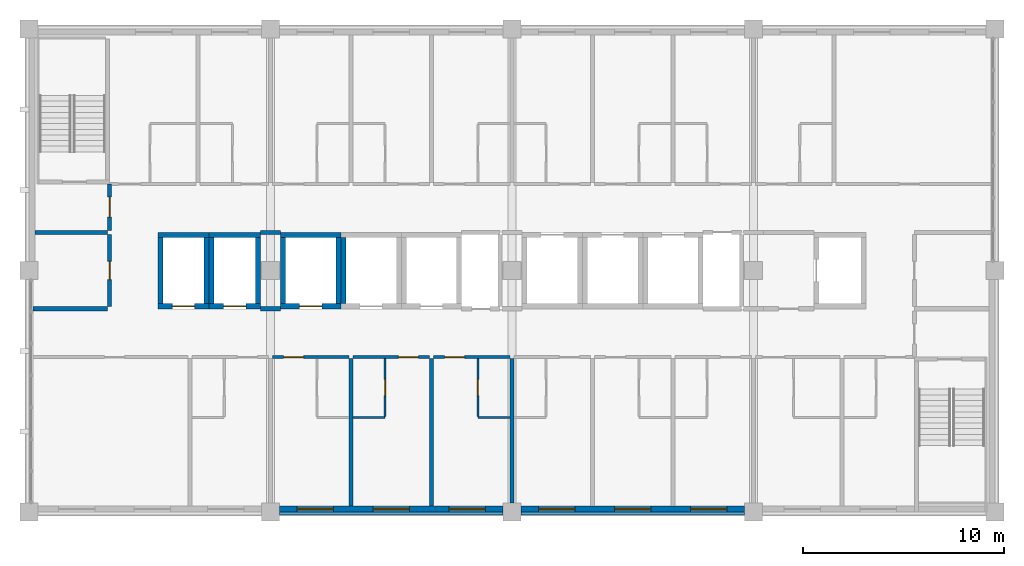
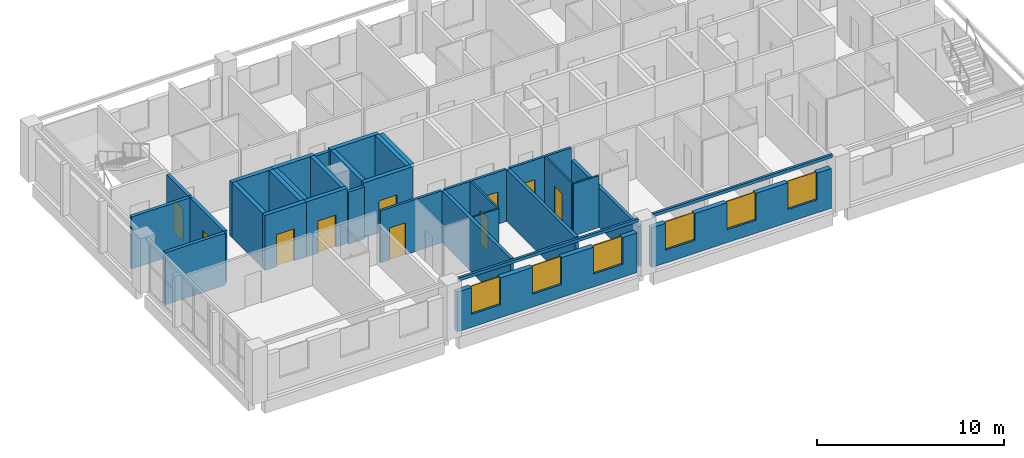
# One storey, part 6 of 11: 33 walls, 10 doors, 6 windows, 16 openings.
"""IFC4 building model written with IfcOpenShell, lengths in metres."""

from ifc_helpers import new_model, si_unit, direction, frame, frame_2d, origin, place, context, subcontext, project, spatial, rectangle, extrude, material, layer, layer_set, type_object, element, fill, save


model = new_model("IFC4")

# Units and contexts
model_context = context("Model", 3, precision=1e-05, world=origin(), true_north=direction((0.0, 1.0)))
body_context = subcontext(model_context, "Body", "Model", "MODEL_VIEW")
ifc_project = project(units=[si_unit("LENGTHUNIT", "METRE"), si_unit("AREAUNIT", "SQUARE_METRE"), si_unit("VOLUMEUNIT", "CUBIC_METRE"), si_unit("PLANEANGLEUNIT", "RADIAN"), si_unit("MASSUNIT", "GRAM", prefix="KILO")], contexts=[model_context])

# Site, building, storey
site_placement = place(None, origin())
site = spatial("IfcSite", under=ifc_project, at=site_placement, CompositionType="ELEMENT")
building_placement = place(site_placement, origin())
building = spatial("IfcBuilding", under=site, at=building_placement, Name="Lilac Gate Convention Centre", CompositionType="ELEMENT")
storey_placement = place(building_placement, frame((0.0, 0.0, 24.60009765625)))
storey = spatial("IfcBuildingStorey", under=building, at=storey_placement, Name="L05", CompositionType="ELEMENT", Elevation=24.60009765625)

# Wall, opening, door
ifc_material_1 = material(Name="Concrete C60", Category="concrete")
ifc_layer_1 = layer(ifc_material_1, 0.25)
ifc_layer_set_1 = layer_set([ifc_layer_1], Name="Concrete C60")
wall_type_1 = type_object("IfcWallType", Name="Core wall 250 C60", PredefinedType="SHEAR", material=ifc_layer_set_1)
wall_1_placement = place(storey_placement, frame((54.5, 232.22509765625, 0.0), z_axis=(0.0, 0.0, 1.0), x_axis=(1.0, 0.0, 0.0)))
wall_1 = element("IfcWall", 1, at=wall_1_placement, inside=storey, type_object=wall_type_1, Name="CRW3 core wall TC L05 1", PredefinedType="SHEAR", context=body_context, shape_type="SweptSolid", body=[
    extrude(rectangle(XDim=3.0, YDim=0.25, at=frame_2d((1.5, 0.0))), origin(), (0.0, 0.0, 1.0), 3.599853515625),
])
opening_1_placement = place(wall_1_placement, frame((0.949951171875, 0.0, 0.0)))
opening_1 = element("IfcOpeningElement", 2, at=opening_1_placement, cuts=wall_1, Name="Opening T04-046", PredefinedType="OPENING", context=body_context, shape_type="SweptSolid", body=[
    extrude(rectangle(XDim=1.10009765625, YDim=2.10009765625, at=frame_2d((0.550048828125, 1.050048828125))), frame((0.0, 0.135009765625, 0.0), z_axis=(0.0, -1.0, 0.0), x_axis=(1.0, 0.0, 0.0)), (0.0, 0.0, 1.0), 0.27001953125),
])
ifc_material_2 = material(Name="Stainless steel 304", Category="steel")
door_type_1 = type_object("IfcDoorType", Name="Lift landing door 1100", OperationType="SLIDING_TO_LEFT", PredefinedType="DOOR", material=ifc_material_2)
door_1_placement = place(opening_1_placement, origin())
door_1 = element("IfcDoor", 3, at=door_1_placement, inside=storey, type_object=door_type_1, Name="Lift landing door TP1 L05", OperationType="SLIDING_TO_LEFT", OverallHeight=2.10009765625, OverallWidth=1.10009765625, PredefinedType="DOOR", context=body_context, shape_type="SweptSolid", body=[
    extrude(rectangle(XDim=1.10009765625, YDim=2.10009765625, at=frame_2d((0.550048828125, 1.050048828125))), frame((0.0, 0.02490234375, 0.0), z_axis=(0.0, -1.0, 0.0), x_axis=(1.0, 0.0, 0.0)), (0.0, 0.0, 1.0), 0.050048828125),
])
fill(opening_1, door_1)

# Walls
wall_2_placement = place(storey_placement, frame((54.5, 235.77490234375, 0.0), z_axis=(0.0, 0.0, 1.0), x_axis=(1.0, 0.0, 0.0)))
element("IfcWall", 4, at=wall_2_placement, inside=storey, type_object=wall_type_1, Name="CRW3 core wall TC L05 2", PredefinedType="SHEAR", context=body_context, shape_type="SweptSolid", body=[
    extrude(rectangle(XDim=3.0, YDim=0.25, at=frame_2d((1.5, 0.0))), origin(), (0.0, 0.0, 1.0), 3.599853515625),
])
for number, where, z_axis, x_axis, name in (
    (5, (54.625, 232.35009765625, 0.0), (0.0, 0.0, 1.0), (0.0, 1.0, 0.0), "CRW3 core wall TC L05 3"),
    (6, (57.375, 232.35009765625, 0.0), (0.0, 0.0, 1.0), (0.0, 1.0, 0.0), "CRW3 core wall TC L05 4"),
    (7, (57.625, 232.35009765625, 0.0), (0.0, 0.0, 1.0), (0.0, 1.0, 0.0), "CRW3 core wall TC L05 7"),
):
    element("IfcWall", number, at=place(storey_placement, frame(where, z_axis=z_axis, x_axis=x_axis)), inside=storey, type_object=wall_type_1, Name=name, PredefinedType="SHEAR", context=body_context, shape_type="SweptSolid", body=[
        extrude(rectangle(XDim=3.2998046875, YDim=0.25, at=frame_2d((1.64990234375, 0.0))), origin(), (0.0, 0.0, 1.0), 3.599853515625),
    ])

# Wall, opening, door
wall_3_placement = place(storey_placement, frame((48.39990234375, 232.22509765625, 0.0), z_axis=(0.0, 0.0, 1.0), x_axis=(1.0, 0.0, 0.0)))
wall_3 = element("IfcWall", 8, at=wall_3_placement, inside=storey, type_object=wall_type_1, Name="CRW3 core wall TC L05 25", PredefinedType="SHEAR", context=body_context, shape_type="SweptSolid", body=[
    extrude(rectangle(XDim=2.550048828125, YDim=0.25, at=frame_2d((1.27490234375, 0.0))), origin(), (0.0, 0.0, 1.0), 3.599853515625),
])
opening_2_placement = place(wall_3_placement, frame((0.72509765625, 0.0, 0.0)))
opening_2 = element("IfcOpeningElement", 9, at=opening_2_placement, cuts=wall_3, Name="Opening T04-052", PredefinedType="OPENING", context=body_context, shape_type="SweptSolid", body=[
    extrude(rectangle(XDim=1.10009765625, YDim=2.10009765625, at=frame_2d((0.550048828125, 1.050048828125))), frame((0.0, 0.135009765625, 0.0), z_axis=(0.0, -1.0, 0.0), x_axis=(1.0, 0.0, 0.0)), (0.0, 0.0, 1.0), 0.27001953125),
])
door_2_placement = place(opening_2_placement, origin())
door_2 = element("IfcDoor", 10, at=door_2_placement, inside=storey, type_object=door_type_1, Name="Lift landing door TS1 L05", OperationType="SLIDING_TO_LEFT", OverallHeight=2.10009765625, OverallWidth=1.10009765625, PredefinedType="DOOR", context=body_context, shape_type="SweptSolid", body=[
    extrude(rectangle(XDim=1.10009765625, YDim=2.10009765625, at=frame_2d((0.550048828125, 1.050048828125))), frame((0.0, 0.02490234375, 0.0), z_axis=(0.0, -1.0, 0.0), x_axis=(1.0, 0.0, 0.0)), (0.0, 0.0, 1.0), 0.050048828125),
])
fill(opening_2, door_2)

# Walls
wall_4_placement = place(storey_placement, frame((48.39990234375, 235.77490234375, 0.0), z_axis=(0.0, 0.0, 1.0), x_axis=(1.0, 0.0, 0.0)))
element("IfcWall", 11, at=wall_4_placement, inside=storey, type_object=wall_type_1, Name="CRW3 core wall TC L05 26", PredefinedType="SHEAR", context=body_context, shape_type="SweptSolid", body=[
    extrude(rectangle(XDim=2.550048828125, YDim=0.25, at=frame_2d((1.27490234375, 0.0))), origin(), (0.0, 0.0, 1.0), 3.599853515625),
])
for number, where, z_axis, x_axis, name in (
    (12, (48.52490234375, 232.35009765625, 0.0), (0.0, 0.0, 1.0), (0.0, 1.0, 0.0), "CRW3 core wall TC L05 27"),
    (13, (50.824951171875, 232.35009765625, 0.0), (0.0, 0.0, 1.0), (0.0, 1.0, 0.0), "CRW3 core wall TC L05 28"),
):
    element("IfcWall", number, at=place(storey_placement, frame(where, z_axis=z_axis, x_axis=x_axis)), inside=storey, type_object=wall_type_1, Name=name, PredefinedType="SHEAR", context=body_context, shape_type="SweptSolid", body=[
        extrude(rectangle(XDim=3.2998046875, YDim=0.25, at=frame_2d((1.64990234375, 0.0))), origin(), (0.0, 0.0, 1.0), 3.599853515625),
    ])

# Wall, opening, door
wall_5_placement = place(storey_placement, frame((50.949951171875, 232.22509765625, 0.0), z_axis=(0.0, 0.0, 1.0), x_axis=(1.0, 0.0, 0.0)))
wall_5 = element("IfcWall", 14, at=wall_5_placement, inside=storey, type_object=wall_type_1, Name="CRW3 core wall TC L05 29", PredefinedType="SHEAR", context=body_context, shape_type="SweptSolid", body=[
    extrude(rectangle(XDim=2.550048828125, YDim=0.25, at=frame_2d((1.27490234375, 0.0))), origin(), (0.0, 0.0, 1.0), 3.599853515625),
])
opening_3_placement = place(wall_5_placement, frame((0.72509765625, 0.0, 0.0)))
opening_3 = element("IfcOpeningElement", 15, at=opening_3_placement, cuts=wall_5, Name="Opening T04-053", PredefinedType="OPENING", context=body_context, shape_type="SweptSolid", body=[
    extrude(rectangle(XDim=1.10009765625, YDim=2.10009765625, at=frame_2d((0.550048828125, 1.050048828125))), frame((0.0, 0.135009765625, 0.0), z_axis=(0.0, -1.0, 0.0), x_axis=(1.0, 0.0, 0.0)), (0.0, 0.0, 1.0), 0.27001953125),
])
door_3_placement = place(opening_3_placement, origin())
door_3 = element("IfcDoor", 16, at=door_3_placement, inside=storey, type_object=door_type_1, Name="Lift landing door TS2 L05", OperationType="SLIDING_TO_LEFT", OverallHeight=2.10009765625, OverallWidth=1.10009765625, PredefinedType="DOOR", context=body_context, shape_type="SweptSolid", body=[
    extrude(rectangle(XDim=1.10009765625, YDim=2.10009765625, at=frame_2d((0.550048828125, 1.050048828125))), frame((0.0, 0.02490234375, 0.0), z_axis=(0.0, -1.0, 0.0), x_axis=(1.0, 0.0, 0.0)), (0.0, 0.0, 1.0), 0.050048828125),
])
fill(opening_3, door_3)

# Walls
wall_6_placement = place(storey_placement, frame((50.949951171875, 235.77490234375, 0.0), z_axis=(0.0, 0.0, 1.0), x_axis=(1.0, 0.0, 0.0)))
element("IfcWall", 17, at=wall_6_placement, inside=storey, type_object=wall_type_1, Name="CRW3 core wall TC L05 30", PredefinedType="SHEAR", context=body_context, shape_type="SweptSolid", body=[
    extrude(rectangle(XDim=2.550048828125, YDim=0.25, at=frame_2d((1.27490234375, 0.0))), origin(), (0.0, 0.0, 1.0), 3.599853515625),
])
for number, where, z_axis, x_axis, name in (
    (18, (51.074951171875, 232.35009765625, 0.0), (0.0, 0.0, 1.0), (0.0, 1.0, 0.0), "CRW3 core wall TC L05 31"),
    (19, (53.375, 232.35009765625, 0.0), (0.0, 0.0, 1.0), (0.0, 1.0, 0.0), "CRW3 core wall TC L05 32"),
):
    element("IfcWall", number, at=place(storey_placement, frame(where, z_axis=z_axis, x_axis=x_axis)), inside=storey, type_object=wall_type_1, Name=name, PredefinedType="SHEAR", context=body_context, shape_type="SweptSolid", body=[
        extrude(rectangle(XDim=3.2998046875, YDim=0.25, at=frame_2d((1.64990234375, 0.0))), origin(), (0.0, 0.0, 1.0), 3.599853515625),
    ])

# Wall, opening, door
ifc_material_3 = material(Name="Gypsum board on steel stud", Category="steel")
ifc_layer_2 = layer(ifc_material_3, 0.14990234375)
ifc_layer_set_2 = layer_set([ifc_layer_2], Name="Gypsum board on steel stud")
wall_type_2 = type_object("IfcWallType", Name="Corridor wall 150", PredefinedType="PARTITIONING", material=ifc_layer_set_2)
wall_7_placement = place(storey_placement, frame((57.89990234375, 229.699951171875, 0.0), z_axis=(0.0, 0.0, 1.0), x_axis=(-1.0, 0.0, 0.0)))
wall_7 = element("IfcWall", 20, at=wall_7_placement, inside=storey, type_object=wall_type_2, Name="Corridor wall 150 front 0503", PredefinedType="PARTITIONING", context=body_context, shape_type="SweptSolid", body=[
    extrude(rectangle(XDim=3.7998046875, YDim=0.14990234375, at=frame_2d((1.89990234375, 0.0))), origin(), (0.0, 0.0, 1.0), 3.39990234375),
])
opening_4_placement = place(wall_7_placement, frame((2.25, 0.0, 0.0)))
opening_4 = element("IfcOpeningElement", 21, at=opening_4_placement, cuts=wall_7, Name="Opening T04-011", PredefinedType="OPENING", context=body_context, shape_type="SweptSolid", body=[
    extrude(rectangle(XDim=1.0, YDim=2.10009765625, at=frame_2d((0.5, 1.050048828125))), frame((0.0, 0.0849609375, 0.0), z_axis=(0.0, -1.0, 0.0), x_axis=(1.0, 0.0, 0.0)), (0.0, 0.0, 1.0), 0.169921875),
])
ifc_material_4 = material(Name="Timber", Category="wood")
door_type_2 = type_object("IfcDoorType", Name="Guest room entrance door 1000", OperationType="SINGLE_SWING_LEFT", PredefinedType="DOOR", material=ifc_material_4)
door_4_placement = place(opening_4_placement, origin())
door_4 = element("IfcDoor", 22, at=door_4_placement, inside=storey, type_object=door_type_2, Name="Guest room door 0503", OperationType="SINGLE_SWING_RIGHT", OverallHeight=2.10009765625, OverallWidth=1.0, PredefinedType="DOOR", context=body_context, shape_type="SweptSolid", body=[
    extrude(rectangle(XDim=1.0, YDim=2.10009765625, at=frame_2d((0.5, 1.050048828125))), frame((0.0, 0.02490234375, 0.0), z_axis=(0.0, -1.0, 0.0), x_axis=(1.0, 0.0, 0.0)), (0.0, 0.0, 1.0), 0.050048828125),
])
fill(opening_4, door_4)

wall_8_placement = place(storey_placement, frame((61.89990234375, 229.699951171875, 0.0), z_axis=(0.0, 0.0, 1.0), x_axis=(-1.0, 0.0, 0.0)))
wall_8 = element("IfcWall", 23, at=wall_8_placement, inside=storey, type_object=wall_type_2, Name="Corridor wall 150 front 0504", PredefinedType="PARTITIONING", context=body_context, shape_type="SweptSolid", body=[
    extrude(rectangle(XDim=3.7998046875, YDim=0.14990234375, at=frame_2d((1.89990234375, 0.0))), origin(), (0.0, 0.0, 1.0), 3.39990234375),
])
opening_5_placement = place(wall_8_placement, frame((0.550048828125, 0.0, 0.0)))
opening_5 = element("IfcOpeningElement", 24, at=opening_5_placement, cuts=wall_8, Name="Opening T04-013", PredefinedType="OPENING", context=body_context, shape_type="SweptSolid", body=[
    extrude(rectangle(XDim=1.0, YDim=2.10009765625, at=frame_2d((0.5, 1.050048828125))), frame((0.0, 0.0849609375, 0.0), z_axis=(0.0, -1.0, 0.0), x_axis=(1.0, 0.0, 0.0)), (0.0, 0.0, 1.0), 0.169921875),
])
door_5_placement = place(opening_5_placement, origin())
door_5 = element("IfcDoor", 25, at=door_5_placement, inside=storey, type_object=door_type_2, Name="Guest room door 0504", OperationType="SINGLE_SWING_LEFT", OverallHeight=2.10009765625, OverallWidth=1.0, PredefinedType="DOOR", context=body_context, shape_type="SweptSolid", body=[
    extrude(rectangle(XDim=1.0, YDim=2.10009765625, at=frame_2d((0.5, 1.050048828125))), frame((0.0, 0.02490234375, 0.0), z_axis=(0.0, -1.0, 0.0), x_axis=(1.0, 0.0, 0.0)), (0.0, 0.0, 1.0), 0.050048828125),
])
fill(opening_5, door_5)

wall_9_placement = place(storey_placement, frame((65.89990234375, 229.699951171875, 0.0), z_axis=(0.0, 0.0, 1.0), x_axis=(-1.0, 0.0, 0.0)))
wall_9 = element("IfcWall", 26, at=wall_9_placement, inside=storey, type_object=wall_type_2, Name="Corridor wall 150 front 0505", PredefinedType="PARTITIONING", context=body_context, shape_type="SweptSolid", body=[
    extrude(rectangle(XDim=3.7998046875, YDim=0.14990234375, at=frame_2d((1.89990234375, 0.0))), origin(), (0.0, 0.0, 1.0), 3.39990234375),
])
opening_6_placement = place(wall_9_placement, frame((2.25, 0.0, 0.0)))
opening_6 = element("IfcOpeningElement", 27, at=opening_6_placement, cuts=wall_9, Name="Opening T04-015", PredefinedType="OPENING", context=body_context, shape_type="SweptSolid", body=[
    extrude(rectangle(XDim=1.0, YDim=2.10009765625, at=frame_2d((0.5, 1.050048828125))), frame((0.0, 0.0849609375, 0.0), z_axis=(0.0, -1.0, 0.0), x_axis=(1.0, 0.0, 0.0)), (0.0, 0.0, 1.0), 0.169921875),
])
door_6_placement = place(opening_6_placement, origin())
door_6 = element("IfcDoor", 28, at=door_6_placement, inside=storey, type_object=door_type_2, Name="Guest room door 0505", OperationType="SINGLE_SWING_LEFT", OverallHeight=2.10009765625, OverallWidth=1.0, PredefinedType="DOOR", context=body_context, shape_type="SweptSolid", body=[
    extrude(rectangle(XDim=1.0, YDim=2.10009765625, at=frame_2d((0.5, 1.050048828125))), frame((0.0, 0.02490234375, 0.0), z_axis=(0.0, -1.0, 0.0), x_axis=(1.0, 0.0, 0.0)), (0.0, 0.0, 1.0), 0.050048828125),
])
fill(opening_6, door_6)

# Wall
ifc_layer_3 = layer(ifc_material_3, 0.10009765625)
ifc_layer_set_3 = layer_set([ifc_layer_3], Name="Gypsum board on steel stud")
wall_type_3 = type_object("IfcWallType", Name="En-suite wall 100", PredefinedType="PARTITIONING", material=ifc_layer_set_3)
wall_10_placement = place(storey_placement, frame((58.10009765625, 226.699951171875, 0.0), z_axis=(0.0, 0.0, 1.0), x_axis=(1.0, 0.0, 0.0)))
element("IfcWall", 29, at=wall_10_placement, inside=storey, type_object=wall_type_3, Name="En-suite wall 100 bath 0504", PredefinedType="PARTITIONING", context=body_context, shape_type="SweptSolid", body=[
    extrude(rectangle(XDim=1.599853515625, YDim=0.10009765625, at=frame_2d((0.7998046875, 0.0))), origin(), (0.0, 0.0, 1.0), 3.39990234375),
])

# Wall, opening, door
wall_11_placement = place(storey_placement, frame((59.699951171875, 229.625, 0.0), z_axis=(0.0, 0.0, 1.0), x_axis=(0.0, -1.0, 0.0)))
wall_11 = element("IfcWall", 30, at=wall_11_placement, inside=storey, type_object=wall_type_3, Name="En-suite wall 100 bath side 0504", PredefinedType="PARTITIONING", context=body_context, shape_type="SweptSolid", body=[
    extrude(rectangle(XDim=2.875, YDim=0.10009765625, at=frame_2d((1.4375, 0.0))), origin(), (0.0, 0.0, 1.0), 3.39990234375),
])
opening_7_placement = place(wall_11_placement, frame((1.03759765625, 0.0, 0.0)))
opening_7 = element("IfcOpeningElement", 31, at=opening_7_placement, cuts=wall_11, Name="Opening T04-014", PredefinedType="OPENING", context=body_context, shape_type="SweptSolid", body=[
    extrude(rectangle(XDim=0.800048828125, YDim=2.10009765625, at=frame_2d((0.39990234375, 1.050048828125))), frame((0.0, 0.06005859375, 0.0), z_axis=(0.0, -1.0, 0.0), x_axis=(1.0, 0.0, 0.0)), (0.0, 0.0, 1.0), 0.1201171875),
])
door_type_3 = type_object("IfcDoorType", Name="En-suite door 800", OperationType="SINGLE_SWING_LEFT", PredefinedType="DOOR", material=ifc_material_4)
door_7_placement = place(opening_7_placement, origin())
door_7 = element("IfcDoor", 32, at=door_7_placement, inside=storey, type_object=door_type_3, Name="En-suite door 0504", OperationType="SINGLE_SWING_LEFT", OverallHeight=2.10009765625, OverallWidth=0.800048828125, PredefinedType="DOOR", context=body_context, shape_type="SweptSolid", body=[
    extrude(rectangle(XDim=0.800048828125, YDim=2.10009765625, at=frame_2d((0.39990234375, 1.050048828125))), frame((0.0, 0.02490234375, 0.0), z_axis=(0.0, -1.0, 0.0), x_axis=(1.0, 0.0, 0.0)), (0.0, 0.0, 1.0), 0.050048828125),
])
fill(opening_7, door_7)

# Wall
wall_12_placement = place(storey_placement, frame((64.300048828125, 226.699951171875, 0.0), z_axis=(0.0, 0.0, 1.0), x_axis=(1.0, 0.0, 0.0)))
element("IfcWall", 33, at=wall_12_placement, inside=storey, type_object=wall_type_3, Name="En-suite wall 100 bath 0505", PredefinedType="PARTITIONING", context=body_context, shape_type="SweptSolid", body=[
    extrude(rectangle(XDim=1.599853515625, YDim=0.10009765625, at=frame_2d((0.7998046875, 0.0))), origin(), (0.0, 0.0, 1.0), 3.39990234375),
])

# Wall, opening, door
wall_13_placement = place(storey_placement, frame((64.300048828125, 226.75, 0.0), z_axis=(0.0, 0.0, 1.0), x_axis=(0.0, 1.0, 0.0)))
wall_13 = element("IfcWall", 34, at=wall_13_placement, inside=storey, type_object=wall_type_3, Name="En-suite wall 100 bath side 0505", PredefinedType="PARTITIONING", context=body_context, shape_type="SweptSolid", body=[
    extrude(rectangle(XDim=2.875, YDim=0.10009765625, at=frame_2d((1.4375, 0.0))), origin(), (0.0, 0.0, 1.0), 3.39990234375),
])
opening_8_placement = place(wall_13_placement, frame((1.03759765625, 0.0, 0.0)))
opening_8 = element("IfcOpeningElement", 35, at=opening_8_placement, cuts=wall_13, Name="Opening T04-016", PredefinedType="OPENING", context=body_context, shape_type="SweptSolid", body=[
    extrude(rectangle(XDim=0.800048828125, YDim=2.10009765625, at=frame_2d((0.39990234375, 1.050048828125))), frame((0.0, 0.06005859375, 0.0), z_axis=(0.0, -1.0, 0.0), x_axis=(1.0, 0.0, 0.0)), (0.0, 0.0, 1.0), 0.1201171875),
])
door_8_placement = place(opening_8_placement, origin())
door_8 = element("IfcDoor", 36, at=door_8_placement, inside=storey, type_object=door_type_3, Name="En-suite door 0505", OperationType="SINGLE_SWING_RIGHT", OverallHeight=2.10009765625, OverallWidth=0.800048828125, PredefinedType="DOOR", context=body_context, shape_type="SweptSolid", body=[
    extrude(rectangle(XDim=0.800048828125, YDim=2.10009765625, at=frame_2d((0.39990234375, 1.050048828125))), frame((0.0, 0.02490234375, 0.0), z_axis=(0.0, -1.0, 0.0), x_axis=(1.0, 0.0, 0.0)), (0.0, 0.0, 1.0), 0.050048828125),
])
fill(opening_8, door_8)

# Walls
ifc_layer_4 = layer(ifc_material_3, 0.199951171875)
ifc_layer_set_4 = layer_set([ifc_layer_4], Name="Gypsum board on steel stud")
wall_type_4 = type_object("IfcWallType", Name="Guest room party wall 200", PredefinedType="PARTITIONING", material=ifc_layer_set_4)
for number, where, z_axis, x_axis, name in (
    (37, (58.0, 222.2998046875, 0.0), (0.0, 0.0, 1.0), (0.0, 1.0, 0.0), "Guest room party wall 200 party 58.0"),
    (38, (62.0, 222.2998046875, 0.0), (0.0, 0.0, 1.0), (0.0, 1.0, 0.0), "Guest room party wall 200 party 62.0"),
):
    element("IfcWall", number, at=place(storey_placement, frame(where, z_axis=z_axis, x_axis=x_axis)), inside=storey, type_object=wall_type_4, Name=name, PredefinedType="PARTITIONING", context=body_context, shape_type="SweptSolid", body=[
        extrude(rectangle(XDim=7.3251953125, YDim=0.199951171875, at=frame_2d((3.66259765625, 0.0))), origin(), (0.0, 0.0, 1.0), 3.39990234375),
    ])
wall_14_placement = place(storey_placement, frame((66.0, 222.449951171875, 0.0), z_axis=(0.0, 0.0, 1.0), x_axis=(0.0, 1.0, 0.0)))
element("IfcWall", 39, at=wall_14_placement, inside=storey, type_object=wall_type_4, Name="Guest room party wall 200 party 66.0", PredefinedType="PARTITIONING", context=body_context, shape_type="SweptSolid", body=[
    extrude(rectangle(XDim=7.175048828125, YDim=0.199951171875, at=frame_2d((3.58740234375, 0.0))), origin(), (0.0, 0.0, 1.0), 2.599853515625),
])

# Wall, opening, door
ifc_layer_5 = layer(ifc_material_3, 0.199951171875)
ifc_layer_set_5 = layer_set([ifc_layer_5], Name="Gypsum board on steel stud")
wall_type_5 = type_object("IfcWallType", Name="Lobby wall 200", PredefinedType="PARTITIONING", material=ifc_layer_set_5)
wall_15_placement = place(storey_placement, frame((46.0, 236.0, 0.0), z_axis=(0.0, 0.0, 1.0), x_axis=(0.0, 1.0, 0.0)))
wall_15 = element("IfcWall", 40, at=wall_15_placement, inside=storey, type_object=wall_type_5, Name="Lobby wall 200 STL-NW-E", PredefinedType="PARTITIONING", context=body_context, shape_type="SweptSolid", body=[
    extrude(rectangle(XDim=2.300048828125, YDim=0.199951171875, at=frame_2d((1.14990234375, 0.0))), origin(), (0.0, 0.0, 1.0), 3.39990234375),
])
opening_9_placement = place(wall_15_placement, frame((0.64990234375, 0.0, 0.0)))
opening_9 = element("IfcOpeningElement", 41, at=opening_9_placement, cuts=wall_15, Name="Opening T04-006", PredefinedType="OPENING", context=body_context, shape_type="SweptSolid", body=[
    extrude(rectangle(XDim=1.0, YDim=2.10009765625, at=frame_2d((0.5, 1.050048828125))), frame((0.0, 0.10986328125, 0.0), z_axis=(0.0, -1.0, 0.0), x_axis=(1.0, 0.0, 0.0)), (0.0, 0.0, 1.0), 0.219970703125),
])
ifc_material_5 = material(Name="Steel Q235B", Category="steel")
door_type_4 = type_object("IfcDoorType", Name="Lobby door 1000", OperationType="SINGLE_SWING_LEFT", PredefinedType="DOOR", material=ifc_material_5)
door_9_placement = place(opening_9_placement, origin())
door_9 = element("IfcDoor", 42, at=door_9_placement, inside=storey, type_object=door_type_4, Name="Stair lobby door NW", OperationType="SINGLE_SWING_LEFT", OverallHeight=2.10009765625, OverallWidth=1.0, PredefinedType="DOOR", context=body_context, shape_type="SweptSolid", body=[
    extrude(rectangle(XDim=1.0, YDim=2.10009765625, at=frame_2d((0.5, 1.050048828125))), frame((0.0, 0.02490234375, 0.0), z_axis=(0.0, -1.0, 0.0), x_axis=(1.0, 0.0, 0.0)), (0.0, 0.0, 1.0), 0.050048828125),
])
fill(opening_9, door_9)

# Walls
ifc_material_6 = material(Name="Concrete C40 precast", Category="concrete")
ifc_layer_6 = layer(ifc_material_6, 0.1298828125)
ifc_material_7 = material(Name="Ochre mineral render")
ifc_layer_7 = layer(ifc_material_7, 0.02001953125)
ifc_layer_set_6 = layer_set([ifc_layer_6, ifc_layer_7], Name="Concrete C40 precast, Ochre mineral render")
wall_type_6 = type_object("IfcWallType", Name="Precast band ochre 150", PredefinedType="STANDARD", material=ifc_layer_set_6)
for number, where, z_axis, x_axis, name in (
    (43, (54.449951171875, 221.925048828125, 3.39990234375), (0.0, 0.0, 1.0), (1.0, 0.0, 0.0), "Precast band S L05 2"),
    (44, (66.449951171875, 221.925048828125, 3.39990234375), (0.0, 0.0, 1.0), (1.0, 0.0, 0.0), "Precast band S L05 3"),
):
    element("IfcWall", number, at=place(storey_placement, frame(where, z_axis=z_axis, x_axis=x_axis)), inside=storey, type_object=wall_type_6, Name=name, PredefinedType="STANDARD", context=body_context, shape_type="SweptSolid", body=[
        extrude(rectangle(XDim=11.10009765625, YDim=0.14990234375, at=frame_2d((5.550048828125, 0.0))), origin(), (0.0, 0.0, 1.0), 0.199951171875),
    ])

# Wall, openings, windows
ifc_layer_8 = layer(ifc_material_7, 0.02001953125)
ifc_layer_9 = layer(ifc_material_6, 0.06005859375)
ifc_material_8 = material(Name="Ventilated air cavity")
ifc_layer_10 = layer(ifc_material_8, 0.030029296875)
ifc_material_9 = material(Name="Mineral wool insulation")
ifc_layer_11 = layer(ifc_material_9, 0.1201171875)
ifc_material_10 = material(Name="Steel stud Q345 and gypsum lining", Category="steel")
ifc_layer_12 = layer(ifc_material_10, 0.070068359375)
ifc_layer_set_7 = layer_set([ifc_layer_8, ifc_layer_9, ifc_layer_10, ifc_layer_11, ifc_layer_12], Name="Ochre mineral render, Concrete C40 precast, Ventilated air cavity, Mineral wool insulation, Steel stud Q345 and gypsum lining")
wall_type_7 = type_object("IfcWallType", Name="Precast panel wall ochre 300", PredefinedType="STANDARD", material=ifc_layer_set_7)
wall_16_placement = place(storey_placement, frame((54.449951171875, 222.14990234375, 0.0), z_axis=(0.0, 0.0, 1.0), x_axis=(1.0, 0.0, 0.0)))
wall_16 = element("IfcWall", 45, at=wall_16_placement, inside=storey, type_object=wall_type_7, Name="External wall S L05 2", PredefinedType="STANDARD", context=body_context, shape_type="SweptSolid", body=[
    extrude(rectangle(XDim=11.10009765625, YDim=0.300048828125, at=frame_2d((5.550048828125, 0.0))), origin(), (0.0, 0.0, 1.0), 2.599853515625),
])
opening_10_placement = place(wall_16_placement, frame((0.875, 0.0, 0.85009765625)))
opening_10 = element("IfcOpeningElement", 46, at=opening_10_placement, cuts=wall_16, Name="Opening W1", PredefinedType="OPENING", context=body_context, shape_type="SweptSolid", body=[
    extrude(rectangle(XDim=1.800048828125, YDim=1.75, at=frame_2d((0.89990234375, 0.875))), frame((0.0, 0.159912109375, 0.0), z_axis=(0.0, -1.0, 0.0), x_axis=(1.0, 0.0, 0.0)), (0.0, 0.0, 1.0), 0.320068359375),
])
opening_11_placement = place(wall_16_placement, frame((4.64990234375, 0.0, 0.85009765625)))
opening_11 = element("IfcOpeningElement", 47, at=opening_11_placement, cuts=wall_16, Name="Opening W1", PredefinedType="OPENING", context=body_context, shape_type="SweptSolid", body=[
    extrude(rectangle(XDim=1.800048828125, YDim=1.75, at=frame_2d((0.89990234375, 0.875))), frame((0.0, 0.159912109375, 0.0), z_axis=(0.0, -1.0, 0.0), x_axis=(1.0, 0.0, 0.0)), (0.0, 0.0, 1.0), 0.320068359375),
])
opening_12_placement = place(wall_16_placement, frame((8.425048828125, 0.0, 0.85009765625)))
opening_12 = element("IfcOpeningElement", 48, at=opening_12_placement, cuts=wall_16, Name="Opening W1", PredefinedType="OPENING", context=body_context, shape_type="SweptSolid", body=[
    extrude(rectangle(XDim=1.800048828125, YDim=1.75, at=frame_2d((0.89990234375, 0.875))), frame((0.0, 0.159912109375, 0.0), z_axis=(0.0, -1.0, 0.0), x_axis=(1.0, 0.0, 0.0)), (0.0, 0.0, 1.0), 0.320068359375),
])
ifc_material_11 = material(Name="Aluminium framed double glazing", Category="aluminium")
window_type = type_object("IfcWindowType", Name="Guest room window 1800 x 1750", PartitioningType="DOUBLE_PANEL_VERTICAL", PredefinedType="WINDOW", material=ifc_material_11)
window_1_placement = place(opening_10_placement, origin())
window_1 = element("IfcWindow", 49, at=window_1_placement, inside=storey, type_object=window_type, Name="Window Guest S L05", OverallHeight=1.75, OverallWidth=1.800048828125, PartitioningType="SINGLE_PANEL", PredefinedType="WINDOW", context=body_context, shape_type="SweptSolid", body=[
    extrude(rectangle(XDim=1.800048828125, YDim=1.75, at=frame_2d((0.89990234375, 0.875))), frame((0.0, 0.030029296875, 0.0), z_axis=(0.0, -1.0, 0.0), x_axis=(1.0, 0.0, 0.0)), (0.0, 0.0, 1.0), 0.06005859375),
])
fill(opening_10, window_1)
window_2_placement = place(opening_11_placement, origin())
window_2 = element("IfcWindow", 50, at=window_2_placement, inside=storey, type_object=window_type, Name="Window Guest S L05", OverallHeight=1.75, OverallWidth=1.800048828125, PartitioningType="SINGLE_PANEL", PredefinedType="WINDOW", context=body_context, shape_type="SweptSolid", body=[
    extrude(rectangle(XDim=1.800048828125, YDim=1.75, at=frame_2d((0.89990234375, 0.875))), frame((0.0, 0.030029296875, 0.0), z_axis=(0.0, -1.0, 0.0), x_axis=(1.0, 0.0, 0.0)), (0.0, 0.0, 1.0), 0.06005859375),
])
fill(opening_11, window_2)
window_3_placement = place(opening_12_placement, origin())
window_3 = element("IfcWindow", 51, at=window_3_placement, inside=storey, type_object=window_type, Name="Window Guest S L05", OverallHeight=1.75, OverallWidth=1.800048828125, PartitioningType="SINGLE_PANEL", PredefinedType="WINDOW", context=body_context, shape_type="SweptSolid", body=[
    extrude(rectangle(XDim=1.800048828125, YDim=1.75, at=frame_2d((0.89990234375, 0.875))), frame((0.0, 0.030029296875, 0.0), z_axis=(0.0, -1.0, 0.0), x_axis=(1.0, 0.0, 0.0)), (0.0, 0.0, 1.0), 0.06005859375),
])
fill(opening_12, window_3)

wall_17_placement = place(storey_placement, frame((66.449951171875, 222.14990234375, 0.0), z_axis=(0.0, 0.0, 1.0), x_axis=(1.0, 0.0, 0.0)))
wall_17 = element("IfcWall", 52, at=wall_17_placement, inside=storey, type_object=wall_type_7, Name="External wall S L05 3", PredefinedType="STANDARD", context=body_context, shape_type="SweptSolid", body=[
    extrude(rectangle(XDim=11.10009765625, YDim=0.300048828125, at=frame_2d((5.550048828125, 0.0))), origin(), (0.0, 0.0, 1.0), 2.599853515625),
])
opening_13_placement = place(wall_17_placement, frame((0.875, 0.0, 0.85009765625)))
opening_13 = element("IfcOpeningElement", 53, at=opening_13_placement, cuts=wall_17, Name="Opening W1", PredefinedType="OPENING", context=body_context, shape_type="SweptSolid", body=[
    extrude(rectangle(XDim=1.800048828125, YDim=1.75, at=frame_2d((0.89990234375, 0.875))), frame((0.0, 0.159912109375, 0.0), z_axis=(0.0, -1.0, 0.0), x_axis=(1.0, 0.0, 0.0)), (0.0, 0.0, 1.0), 0.320068359375),
])
opening_14_placement = place(wall_17_placement, frame((4.64990234375, 0.0, 0.85009765625)))
opening_14 = element("IfcOpeningElement", 54, at=opening_14_placement, cuts=wall_17, Name="Opening W1", PredefinedType="OPENING", context=body_context, shape_type="SweptSolid", body=[
    extrude(rectangle(XDim=1.800048828125, YDim=1.75, at=frame_2d((0.89990234375, 0.875))), frame((0.0, 0.159912109375, 0.0), z_axis=(0.0, -1.0, 0.0), x_axis=(1.0, 0.0, 0.0)), (0.0, 0.0, 1.0), 0.320068359375),
])
opening_15_placement = place(wall_17_placement, frame((8.425048828125, 0.0, 0.85009765625)))
opening_15 = element("IfcOpeningElement", 55, at=opening_15_placement, cuts=wall_17, Name="Opening W1", PredefinedType="OPENING", context=body_context, shape_type="SweptSolid", body=[
    extrude(rectangle(XDim=1.800048828125, YDim=1.75, at=frame_2d((0.89990234375, 0.875))), frame((0.0, 0.159912109375, 0.0), z_axis=(0.0, -1.0, 0.0), x_axis=(1.0, 0.0, 0.0)), (0.0, 0.0, 1.0), 0.320068359375),
])
window_4_placement = place(opening_13_placement, origin())
window_4 = element("IfcWindow", 56, at=window_4_placement, inside=storey, type_object=window_type, Name="Window Guest S L05", OverallHeight=1.75, OverallWidth=1.800048828125, PartitioningType="SINGLE_PANEL", PredefinedType="WINDOW", context=body_context, shape_type="SweptSolid", body=[
    extrude(rectangle(XDim=1.800048828125, YDim=1.75, at=frame_2d((0.89990234375, 0.875))), frame((0.0, 0.030029296875, 0.0), z_axis=(0.0, -1.0, 0.0), x_axis=(1.0, 0.0, 0.0)), (0.0, 0.0, 1.0), 0.06005859375),
])
fill(opening_13, window_4)
window_5_placement = place(opening_14_placement, origin())
window_5 = element("IfcWindow", 57, at=window_5_placement, inside=storey, type_object=window_type, Name="Window Guest S L05", OverallHeight=1.75, OverallWidth=1.800048828125, PartitioningType="SINGLE_PANEL", PredefinedType="WINDOW", context=body_context, shape_type="SweptSolid", body=[
    extrude(rectangle(XDim=1.800048828125, YDim=1.75, at=frame_2d((0.89990234375, 0.875))), frame((0.0, 0.030029296875, 0.0), z_axis=(0.0, -1.0, 0.0), x_axis=(1.0, 0.0, 0.0)), (0.0, 0.0, 1.0), 0.06005859375),
])
fill(opening_14, window_5)
window_6_placement = place(opening_15_placement, origin())
window_6 = element("IfcWindow", 58, at=window_6_placement, inside=storey, type_object=window_type, Name="Window Guest S L05", OverallHeight=1.75, OverallWidth=1.800048828125, PartitioningType="SINGLE_PANEL", PredefinedType="WINDOW", context=body_context, shape_type="SweptSolid", body=[
    extrude(rectangle(XDim=1.800048828125, YDim=1.75, at=frame_2d((0.89990234375, 0.875))), frame((0.0, 0.030029296875, 0.0), z_axis=(0.0, -1.0, 0.0), x_axis=(1.0, 0.0, 0.0)), (0.0, 0.0, 1.0), 0.06005859375),
])
fill(opening_15, window_6)

# Walls
ifc_layer_13 = layer(ifc_material_3, 0.199951171875)
ifc_layer_set_8 = layer_set([ifc_layer_13], Name="Gypsum board on steel stud")
wall_type_8 = type_object("IfcWallType", Name="Riser and store wall 200", PredefinedType="PARTITIONING", material=ifc_layer_set_8)
wall_18_placement = place(storey_placement, frame((42.2001953125, 232.10009765625, 0.0), z_axis=(0.0, 0.0, 1.0), x_axis=(1.0, 0.0, 0.0)))
element("IfcWall", 59, at=wall_18_placement, inside=storey, type_object=wall_type_8, Name="Riser and store wall 200 HKW-S", PredefinedType="PARTITIONING", context=body_context, shape_type="SweptSolid", body=[
    extrude(rectangle(XDim=3.69970703125, YDim=0.199951171875, at=frame_2d((1.849853515625, 0.0))), origin(), (0.0, 0.0, 1.0), 3.39990234375),
])
wall_19_placement = place(storey_placement, frame((53.5, 232.10009765625, 0.0), z_axis=(0.0, 0.0, 1.0), x_axis=(1.0, 0.0, 0.0)))
element("IfcWall", 60, at=wall_19_placement, inside=storey, type_object=wall_type_8, Name="Riser and store wall 200 NICHE1-S", PredefinedType="PARTITIONING", context=body_context, shape_type="SweptSolid", body=[
    extrude(rectangle(XDim=1.0, YDim=0.199951171875, at=frame_2d((0.5, 0.0))), origin(), (0.0, 0.0, 1.0), 3.39990234375),
])
wall_20_placement = place(storey_placement, frame((42.2998046875, 235.89990234375, 0.0), z_axis=(0.0, 0.0, 1.0), x_axis=(1.0, 0.0, 0.0)))
element("IfcWall", 61, at=wall_20_placement, inside=storey, type_object=wall_type_8, Name="Riser and store wall 200 HKW-N", PredefinedType="PARTITIONING", context=body_context, shape_type="SweptSolid", body=[
    extrude(rectangle(XDim=3.60009765625, YDim=0.199951171875, at=frame_2d((1.800048828125, 0.0))), origin(), (0.0, 0.0, 1.0), 3.39990234375),
])
wall_21_placement = place(storey_placement, frame((53.5, 235.89990234375, 0.0), z_axis=(0.0, 0.0, 1.0), x_axis=(1.0, 0.0, 0.0)))
element("IfcWall", 62, at=wall_21_placement, inside=storey, type_object=wall_type_8, Name="Riser and store wall 200 NICHE1-N", PredefinedType="PARTITIONING", context=body_context, shape_type="SweptSolid", body=[
    extrude(rectangle(XDim=1.0, YDim=0.199951171875, at=frame_2d((0.5, 0.0))), origin(), (0.0, 0.0, 1.0), 3.39990234375),
])

# Wall, opening, door
wall_22_placement = place(storey_placement, frame((46.0, 232.199951171875, 0.0), z_axis=(0.0, 0.0, 1.0), x_axis=(0.0, 1.0, 0.0)))
wall_22 = element("IfcWall", 63, at=wall_22_placement, inside=storey, type_object=wall_type_8, Name="Riser and store wall 200 HKW-E", PredefinedType="PARTITIONING", context=body_context, shape_type="SweptSolid", body=[
    extrude(rectangle(XDim=3.60009765625, YDim=0.199951171875, at=frame_2d((1.800048828125, 0.0))), origin(), (0.0, 0.0, 1.0), 3.39990234375),
])
opening_16_placement = place(wall_22_placement, frame((1.35009765625, 0.0, 0.0)))
opening_16 = element("IfcOpeningElement", 64, at=opening_16_placement, cuts=wall_22, Name="Opening T04-001", PredefinedType="OPENING", context=body_context, shape_type="SweptSolid", body=[
    extrude(rectangle(XDim=0.89990234375, YDim=2.10009765625, at=frame_2d((0.449951171875, 1.050048828125))), frame((0.0, 0.10986328125, 0.0), z_axis=(0.0, -1.0, 0.0), x_axis=(1.0, 0.0, 0.0)), (0.0, 0.0, 1.0), 0.219970703125),
])
door_type_5 = type_object("IfcDoorType", Name="Riser and store door 900", OperationType="SINGLE_SWING_LEFT", PredefinedType="DOOR", material=ifc_material_5)
door_10_placement = place(opening_16_placement, origin())
door_10 = element("IfcDoor", 65, at=door_10_placement, inside=storey, type_object=door_type_5, Name="Housekeeping door", OperationType="SINGLE_SWING_LEFT", OverallHeight=2.10009765625, OverallWidth=0.89990234375, PredefinedType="DOOR", context=body_context, shape_type="SweptSolid", body=[
    extrude(rectangle(XDim=0.89990234375, YDim=2.10009765625, at=frame_2d((0.449951171875, 1.050048828125))), frame((0.0, 0.02490234375, 0.0), z_axis=(0.0, -1.0, 0.0), x_axis=(1.0, 0.0, 0.0)), (0.0, 0.0, 1.0), 0.050048828125),
])
fill(opening_16, door_10)

save(model, "model.ifc")
